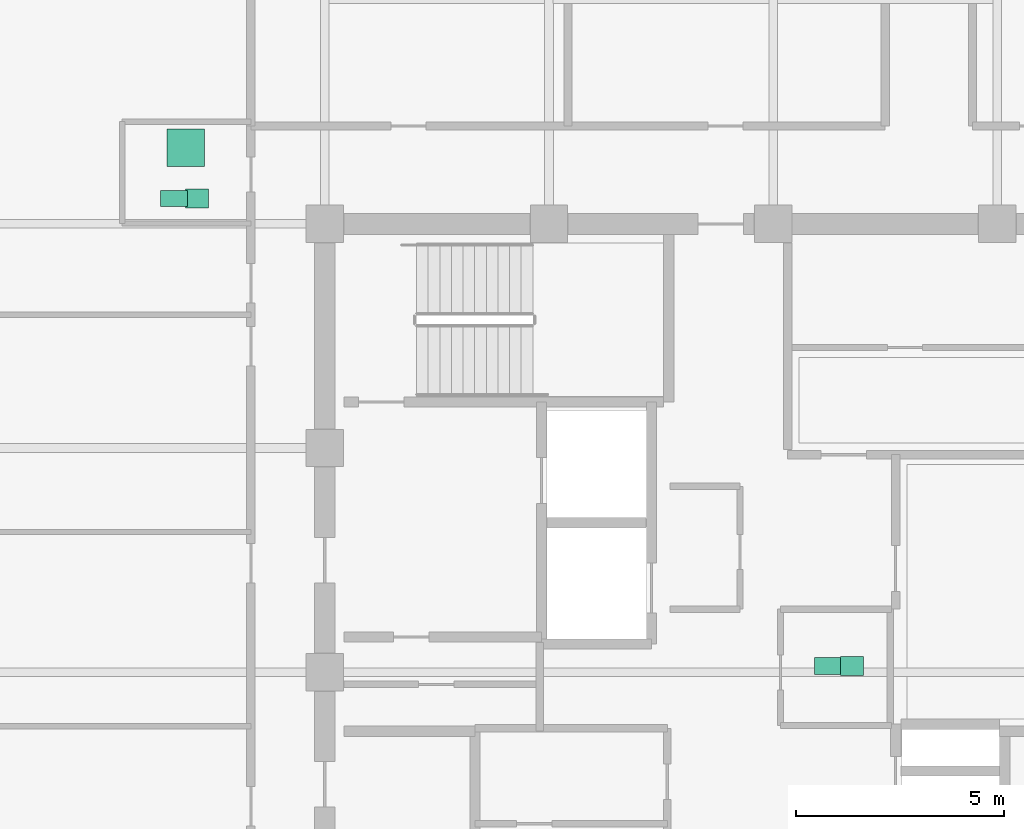
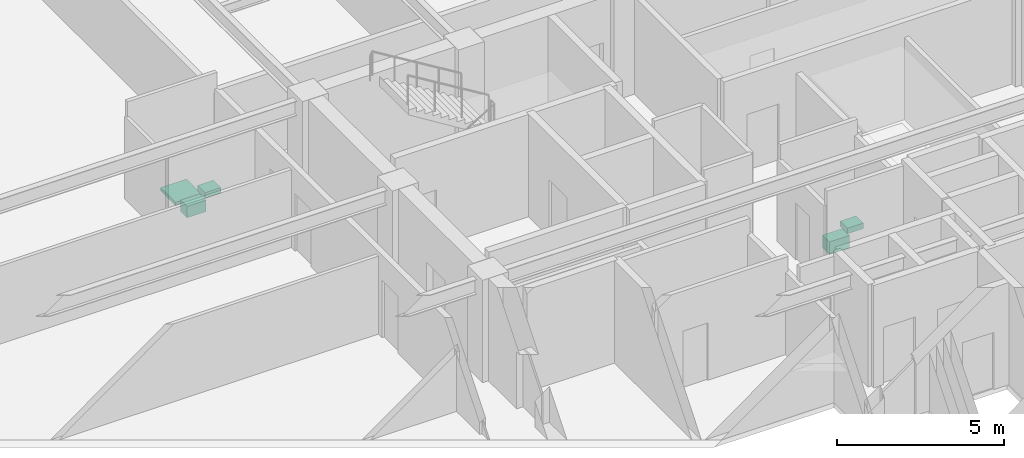
# One storey, part 31 of 31: 5 sanitary terminals.
"""IFC4 building model written with IfcOpenShell, lengths in metres."""

from ifc_helpers import new_model, si_unit, direction, frame, origin, origin_2d, place, context, subcontext, project, spatial, rectangle, extrude, material, type_object, element, save


model = new_model("IFC4")

# Units and contexts
model_context = context("Model", 3, precision=1e-05, world=origin(), true_north=direction((0.0, 1.0)))
body_context = subcontext(model_context, "Body", "Model", "MODEL_VIEW")
ifc_project = project(units=[si_unit("LENGTHUNIT", "METRE"), si_unit("AREAUNIT", "SQUARE_METRE"), si_unit("VOLUMEUNIT", "CUBIC_METRE"), si_unit("PLANEANGLEUNIT", "RADIAN"), si_unit("MASSUNIT", "GRAM", prefix="KILO")], contexts=[model_context])

# Site, building, storey
site_placement = place(None, origin())
site = spatial("IfcSite", under=ifc_project, at=site_placement, CompositionType="ELEMENT")
building_placement = place(site_placement, origin())
building = spatial("IfcBuilding", under=site, at=building_placement, Name="Surkhivell Harbour Commons", CompositionType="ELEMENT")
storey_placement = place(building_placement, frame((0.0, 0.0, 315.0)))
storey = spatial("IfcBuildingStorey", under=building, at=storey_placement, Name="L82", CompositionType="ELEMENT", Elevation=315.0)

# Sanitary terminals
ifc_material_1 = material(Name="Vitreous china washbasin", Category="other")
sanitary_terminal_type_1 = type_object("IfcSanitaryTerminalType", Name="SAN-BSN", PredefinedType="WASHHANDBASIN", material=ifc_material_1)
for number, where, z_axis, x_axis, name in (
    (1, (1.89990234375, 0.14990234375, 0.72021484375), (0.0, 0.0, 1.0), (1.0, 0.0, 0.0), "L82 Core Accessible WC Washbasin"),
    (2, (-13.8798828125, 11.409912109375, 0.72021484375), (0.0, 0.0, 1.0), (1.0, 0.0, 0.0), "L82 West Communal Bathroom WC Washbasin"),
):
    element("IfcSanitaryTerminal", number, at=place(storey_placement, frame(where, z_axis=z_axis, x_axis=x_axis)), inside=storey, type_object=sanitary_terminal_type_1, Name=name, PredefinedType="WASHHANDBASIN", context=body_context, shape_type="SweptSolid", body=[
        extrude(rectangle(XDim=0.550048828125, YDim=0.449951171875, at=origin_2d()), origin(), (0.0, 0.0, 1.0), 0.199951171875),
    ])
ifc_material_2 = material(Name="Glazed porcelain shower tray", Category="other")
sanitary_terminal_type_2 = type_object("IfcSanitaryTerminalType", Name="SAN-SHW", PredefinedType="SHOWER", material=ifc_material_2)
sanitary_terminal_1_placement = place(storey_placement, frame((-14.14990234375, 12.6298828125, 0.0), z_axis=(0.0, 0.0, 1.0), x_axis=(1.0, 0.0, 0.0)))
element("IfcSanitaryTerminal", 3, at=sanitary_terminal_1_placement, inside=storey, type_object=sanitary_terminal_type_2, Name="L82 West Communal Shower Tray", PredefinedType="SHOWER", context=body_context, shape_type="SweptSolid", body=[
    extrude(rectangle(XDim=0.89990234375, YDim=0.89990234375, at=origin_2d()), origin(), (0.0, 0.0, 1.0), 0.1201171875),
])
ifc_material_3 = material(Name="Vitreous china sanitaryware", Category="other")
sanitary_terminal_type_3 = type_object("IfcSanitaryTerminalType", Name="SAN-WC-ACC", PredefinedType="TOILETPAN", material=ifc_material_3)
sanitary_terminal_2_placement = place(storey_placement, frame((1.35009765625, 0.14990234375, 0.169921875), z_axis=(0.0, 0.0, 1.0), x_axis=(1.0, 0.0, 0.0)))
element("IfcSanitaryTerminal", 4, at=sanitary_terminal_2_placement, inside=storey, type_object=sanitary_terminal_type_3, Name="L82 Core Accessible WC", PredefinedType="TOILETPAN", context=body_context, shape_type="SweptSolid", body=[
    extrude(rectangle(XDim=0.699951171875, YDim=0.419921875, at=origin_2d()), origin(), (0.0, 0.0, 1.0), 0.4599609375),
])
sanitary_terminal_type_4 = type_object("IfcSanitaryTerminalType", Name="SAN-WC-STD", PredefinedType="TOILETPAN", material=ifc_material_3)
sanitary_terminal_3_placement = place(storey_placement, frame((-14.429931640625, 11.409912109375, 0.18994140625), z_axis=(0.0, 0.0, 1.0), x_axis=(1.0, 0.0, 0.0)))
element("IfcSanitaryTerminal", 5, at=sanitary_terminal_3_placement, inside=storey, type_object=sanitary_terminal_type_4, Name="L82 West Communal Bathroom WC", PredefinedType="TOILETPAN", context=body_context, shape_type="SweptSolid", body=[
    extrude(rectangle(XDim=0.64990234375, YDim=0.3798828125, at=origin_2d()), origin(), (0.0, 0.0, 1.0), 0.419921875),
])

save(model, "model.ifc")
